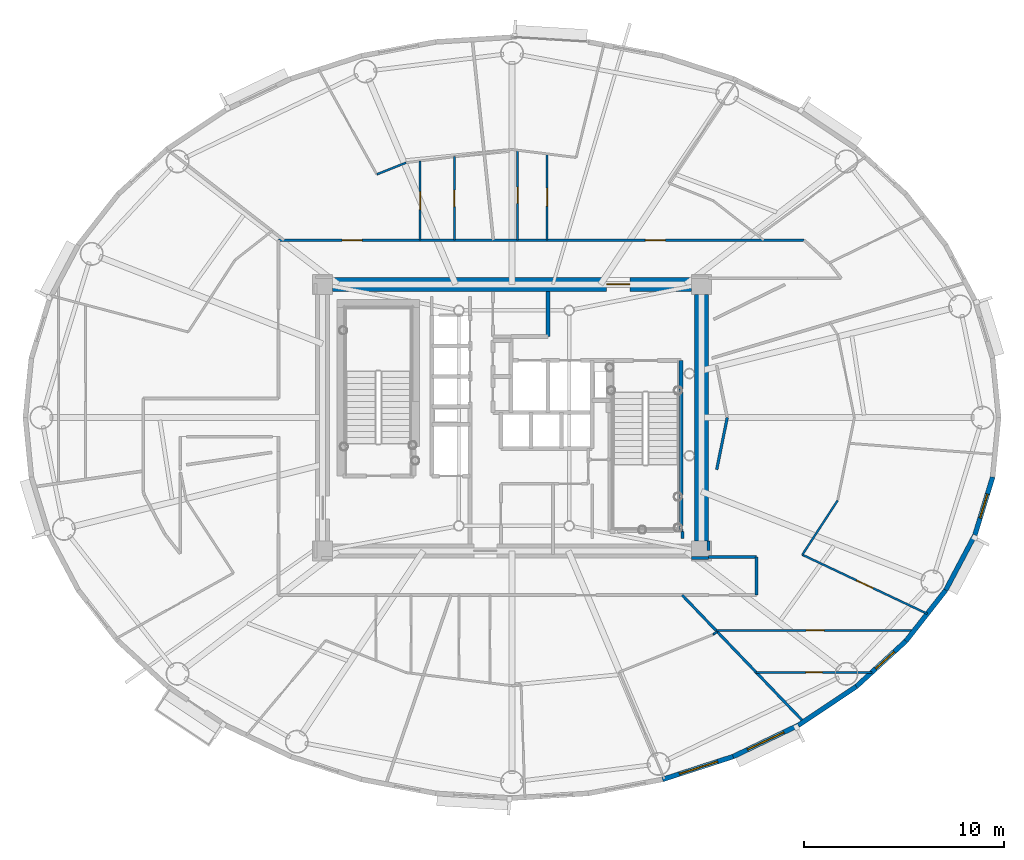
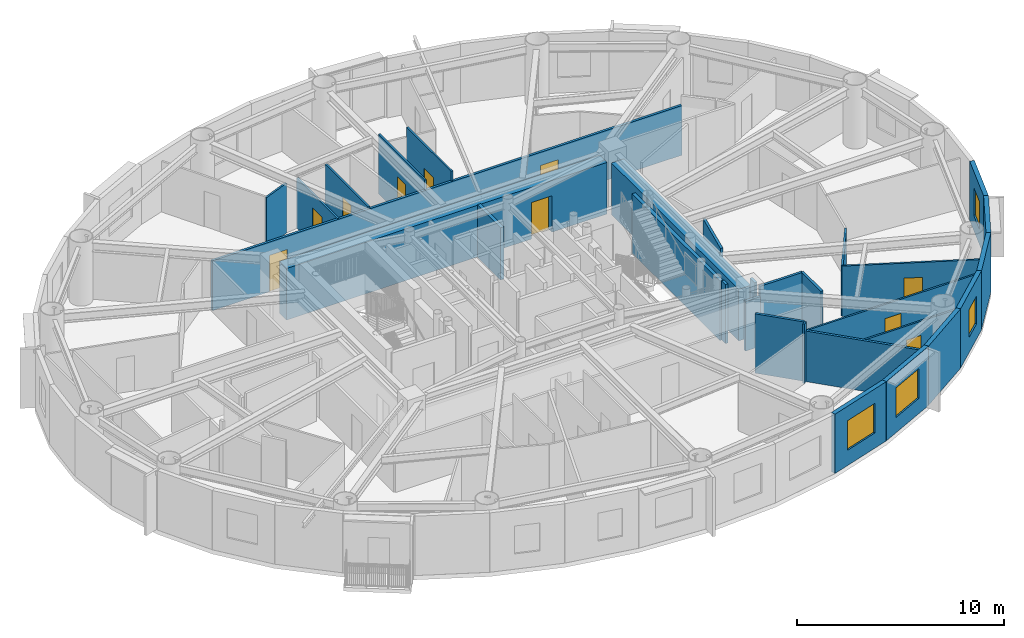
# One storey, part 10 of 19: 30 walls, 10 doors, 4 windows, 14 openings.
"""IFC4 building model written with IfcOpenShell, lengths in metres."""

import ifcopenshell
import ifcopenshell.guid

model = None  # the IFC model being written
_history = None  # IfcOwnerHistory: only IFC2X3 demands one
_inside = {}  # id of a spatial element -> (the spatial element, [elements in it])
_under = {}  # id of a project, library or spatial element -> (it, [spatial elements below it])
_declared = {}  # id of a project -> (the project, [libraries it declares])
_typed = {}  # id of a type object -> (the type object, [elements of that type])
_made_of = {}  # id of a material, layer set ... -> (it, [elements and type objects made of it])


def new_model(schema):
    """Start an empty IFC model of exactly this schema.

    Asked for "IFC4X3", IfcOpenShell would pick the latest addendum, in which some entities
    have other attributes; the version numbers below select the first issue.
    IFC2X3 requires an IfcOwnerHistory on every rooted entity: one is made here for all.
    """
    global model, _history
    if schema == "IFC4X3":
        model = ifcopenshell.file(schema_version=(4, 3, 0, 0))
    else:
        model = ifcopenshell.file(schema=schema)
    _inside.clear()
    _under.clear()
    _declared.clear()
    _typed.clear()
    _made_of.clear()
    _history = None
    if model.schema == "IFC2X3":
        org = make("IfcOrganization", Name="unknown")
        user = make(
            "IfcPersonAndOrganization",
            ThePerson=make("IfcPerson", FamilyName="unknown"),
            TheOrganization=org,
        )
        app = make(
            "IfcApplication",
            ApplicationDeveloper=org,
            Version="unknown",
            ApplicationFullName="unknown",
            ApplicationIdentifier="unknown",
        )
        _history = make(
            "IfcOwnerHistory",
            OwningUser=user,
            OwningApplication=app,
            ChangeAction="ADDED",
            CreationDate=0,
        )
    return model


def make(cls, **values):
    """One entity of the class cls with the attributes given. An attribute that is None is left unset."""
    return model.create_entity(
        cls, **{name: value for name, value in values.items() if value is not None}
    )


def rooted(cls, **values):
    """An entity with a GlobalId (a new one), such as an element, a storey or a relation."""
    return make(cls, GlobalId=ifcopenshell.guid.new(), OwnerHistory=_history, **values)


def si_unit(unit_type, name, prefix=None):
    """IfcSIUnit, for example si_unit("LENGTHUNIT", "METRE", prefix="MILLI")."""
    return make("IfcSIUnit", UnitType=unit_type, Prefix=prefix, Name=name)


def assignment(units):
    """IfcUnitAssignment: the units of a project."""
    return None if units is None else make("IfcUnitAssignment", Units=units)


def point(xyz):
    """IfcCartesianPoint."""
    return None if xyz is None else make("IfcCartesianPoint", Coordinates=xyz)


def direction(xyz):
    """IfcDirection."""
    return None if xyz is None else make("IfcDirection", DirectionRatios=xyz)


def frame(location, z_axis=None, x_axis=None):
    """IfcAxis2Placement3D, a coordinate frame: its origin and axes. An axis left out is left unset."""
    return make(
        "IfcAxis2Placement3D",
        Location=point(location),
        Axis=direction(z_axis),
        RefDirection=direction(x_axis),
    )


def frame_2d(location, x_axis=None):
    """IfcAxis2Placement2D, a coordinate frame in the plane: its origin and x axis."""
    return make(
        "IfcAxis2Placement2D", Location=point(location), RefDirection=direction(x_axis)
    )


def origin():
    """The frame at (0, 0, 0) with its axes left unset."""
    return frame((0.0, 0.0, 0.0))


def origin_2d():
    """The frame at (0, 0) in the plane with its x axis left unset."""
    return frame_2d((0.0, 0.0))


def place(relative_to, where):
    """IfcLocalPlacement: puts the frame where relative to a parent placement (None: the world)."""
    return make(
        "IfcLocalPlacement", PlacementRelTo=relative_to, RelativePlacement=where
    )


def context(
    kind, dimensions, precision=None, world=None, true_north=None, identifier=None
):
    """IfcGeometricRepresentationContext, for example the 3D "Model" context."""
    return make(
        "IfcGeometricRepresentationContext",
        ContextIdentifier=identifier,
        ContextType=kind,
        CoordinateSpaceDimension=dimensions,
        Precision=precision,
        WorldCoordinateSystem=world,
        TrueNorth=true_north,
    )


def subcontext(parent, identifier, kind, view, scale=None):
    """IfcGeometricRepresentationSubContext, for example "Body" below "Model"."""
    return make(
        "IfcGeometricRepresentationSubContext",
        ContextIdentifier=identifier,
        ContextType=kind,
        ParentContext=parent,
        TargetScale=scale,
        TargetView=view,
    )


def project(units=None, contexts=None):
    """IfcProject with its units and contexts."""
    return rooted(
        "IfcProject",
        Name="project",
        RepresentationContexts=contexts,
        UnitsInContext=assignment(units),
    )


def spatial(cls, under=None, at=None, **own):
    """A site, building, storey or space (cls), placed at a placement, below another one or the project."""
    s = rooted(cls, ObjectPlacement=at, **own)
    if under is not None:
        _under.setdefault(under.id(), (under, []))[1].append(s)
    return s


def profile(cls, at=None, kind="AREA", **sizes):
    """A parametric profile (cls). Its sizes go by their IFC names, for example OverallWidth=200.0."""
    return make(cls, ProfileType=kind, Position=at, **sizes)


def rectangle(**sizes):
    """IfcRectangleProfileDef."""
    return profile("IfcRectangleProfileDef", **sizes)


def extrude(swept, where, along, depth):
    """IfcExtrudedAreaSolid: the profile swept, set in the frame where, extruded along a direction by depth."""
    return make(
        "IfcExtrudedAreaSolid",
        SweptArea=swept,
        Position=where,
        ExtrudedDirection=direction(along),
        Depth=depth,
    )


def shape(context_of_items, identifier, shape_type, items):
    """IfcShapeRepresentation: the items that make up one representation, for example the "Body"."""
    return make(
        "IfcShapeRepresentation",
        ContextOfItems=context_of_items,
        RepresentationIdentifier=identifier,
        RepresentationType=shape_type,
        Items=items,
    )


def source(mapping_origin, context_of_items, identifier, shape_type, items):
    """IfcRepresentationMap: a shape defined once, which mapped items show again and again."""
    return make(
        "IfcRepresentationMap",
        MappingOrigin=mapping_origin,
        MappedRepresentation=shape(context_of_items, identifier, shape_type, items),
    )


def transform(
    local_origin,
    x_axis=None,
    y_axis=None,
    z_axis=None,
    scale=None,
    scale2=None,
    scale3=None,
    uniform=True,
):
    """IfcCartesianTransformationOperator3D, or its non-uniform kind. x_axis, y_axis, z_axis: its Axis1, 2, 3."""
    if uniform:
        return make(
            "IfcCartesianTransformationOperator3D",
            Axis1=direction(x_axis),
            Axis2=direction(y_axis),
            LocalOrigin=point(local_origin),
            Scale=scale,
            Axis3=direction(z_axis),
        )
    return make(
        "IfcCartesianTransformationOperator3DnonUniform",
        Axis1=direction(x_axis),
        Axis2=direction(y_axis),
        LocalOrigin=point(local_origin),
        Scale=scale,
        Axis3=direction(z_axis),
        Scale2=scale2,
        Scale3=scale3,
    )


def mapped(mapping_source, mapping_target):
    """IfcMappedItem: shows the shape of a source again, moved by a transform."""
    return make(
        "IfcMappedItem", MappingSource=mapping_source, MappingTarget=mapping_target
    )


def material(Name=None, Category=None):
    """IfcMaterial."""
    return make("IfcMaterial", Name=Name, Category=Category)


def layer(
    of_material, thickness, ventilated=None, Name=None, Category=None, Priority=None
):
    """IfcMaterialLayer: one layer of a wall or slab, of a material (None: an air gap)."""
    return make(
        "IfcMaterialLayer",
        Material=of_material,
        LayerThickness=thickness,
        IsVentilated=ventilated,
        Name=Name,
        Category=Category,
        Priority=Priority,
    )


def layer_set(layers, Name=None):
    """IfcMaterialLayerSet."""
    return make("IfcMaterialLayerSet", MaterialLayers=layers, LayerSetName=Name)


def made_of(thing, what):
    """Note that an element or type object is made of a material, layer set ...; save() writes the relation."""
    if what is not None:
        _made_of.setdefault(what.id(), (what, []))[1].append(thing)
    return thing


def type_object(cls, material=None, **own):
    """A type object (cls), such as IfcWallType, which elements share."""
    return made_of(rooted(cls, **own), material)


def element(
    cls,
    number,
    at=None,
    inside=None,
    cuts=None,
    type_object=None,
    material=None,
    context=None,
    identifier="Body",
    shape_type=None,
    held_by="IfcProductDefinitionShape",
    body=None,
    shapes=None,
    **own,
):
    """One element of the class cls, such as IfcWall. Its Tag is "e" and its number.

    at: its placement. inside: the storey or other place that contains it. cuts: it is an
    opening in that element (IfcRelVoidsElement). A single representation is given by context,
    identifier, shape_type and body (its items); several are given by shapes. held_by: the class
    of the entity that holds the representations. save() writes the other relations.
    """
    e = rooted(cls, Tag="e%d" % number, ObjectPlacement=at, **own)
    if body is not None:
        shapes = [shape(context, identifier, shape_type, body)]
    if shapes is not None:
        e.Representation = make(held_by, Representations=shapes)
    if inside is not None:
        _inside.setdefault(inside.id(), (inside, []))[1].append(e)
    if cuts is not None:
        rooted(
            "IfcRelVoidsElement", RelatingBuildingElement=cuts, RelatedOpeningElement=e
        )
    if type_object is not None:
        _typed.setdefault(type_object.id(), (type_object, []))[1].append(e)
    return made_of(e, material)


def fill(opening, filler):
    """IfcRelFillsElement: the door or window that sits in an opening."""
    return rooted(
        "IfcRelFillsElement",
        RelatingOpeningElement=opening,
        RelatedBuildingElement=filler,
    )


def aggregate(whole, parts):
    """IfcRelAggregates: a whole, such as a stair, and the parts it consists of."""
    return rooted("IfcRelAggregates", RelatingObject=whole, RelatedObjects=parts)


def save(model, path):
    """Write the relations noted so far, then the file.

    IfcRelAggregates (storeys below a building ...), IfcRelContainedInSpatialStructure (elements
    in a storey), IfcRelDefinesByType, IfcRelAssociatesMaterial and IfcRelDeclares: one each for
    every whole, place, type object, material and project.
    """
    for whole, parts in _under.values():
        aggregate(whole, parts)
    for where, things in _inside.values():
        rooted(
            "IfcRelContainedInSpatialStructure",
            RelatedElements=things,
            RelatingStructure=where,
        )
    for kind, things in _typed.values():
        rooted("IfcRelDefinesByType", RelatedObjects=things, RelatingType=kind)
    for what, things in _made_of.values():
        rooted("IfcRelAssociatesMaterial", RelatedObjects=things, RelatingMaterial=what)
    for by, libraries in _declared.values():
        rooted("IfcRelDeclares", RelatingContext=by, RelatedDefinitions=libraries)
    model.write(path)


model = new_model("IFC4")

# Units and contexts
model_context = context("Model", 3, precision=1e-05, world=origin(), true_north=direction((0.0, 1.0)))
body_context = subcontext(model_context, "Body", "Model", "MODEL_VIEW")
ifc_project = project(units=[si_unit("LENGTHUNIT", "METRE"), si_unit("AREAUNIT", "SQUARE_METRE"), si_unit("VOLUMEUNIT", "CUBIC_METRE"), si_unit("PLANEANGLEUNIT", "RADIAN"), si_unit("MASSUNIT", "GRAM", prefix="KILO")], contexts=[model_context])

# Site, building, storey
site_placement = place(None, origin())
site = spatial("IfcSite", under=ifc_project, at=site_placement, CompositionType="ELEMENT")
building_placement = place(site_placement, origin())
building = spatial("IfcBuilding", under=site, at=building_placement, Name="Linh Dai School and Residence Tower", CompositionType="ELEMENT")
storey_placement = place(building_placement, frame((0.0, 0.0, 236.550048828125)))
storey = spatial("IfcBuildingStorey", under=building, at=storey_placement, Name="L58", CompositionType="ELEMENT", Elevation=236.550048828125)

# Wall, opening, window
ifc_material_1 = material(Name="Precast Concrete B45 (C35/45)", Category="concrete")
ifc_layer_1 = layer(ifc_material_1, 0.239990234375)
ifc_layer_set_1 = layer_set([ifc_layer_1], Name="Precast Concrete B45 (C35/45)")
wall_type_1 = type_object("IfcWallType", Name="EW-TC-240", PredefinedType="SOLIDWALL", material=ifc_layer_set_1)
wall_1_placement = place(storey_placement, frame((47.031005859375, 10.093505859375, 0.0), z_axis=(0.0, 0.0, 1.0), x_axis=(-0.951210789182, -0.308541787354, 0.0)))
wall_1 = element("IfcWall", 1, at=wall_1_placement, inside=storey, type_object=wall_type_1, Name="L58 Terracotta Exterior Wall 33", PredefinedType="SOLIDWALL", context=body_context, shape_type="SweptSolid", body=[
    extrude(rectangle(XDim=3.702392578125, YDim=0.239990234375, at=frame_2d((1.85107421875, 0.0))), origin(), (0.0, 0.0, 1.0), 3.5),
])
opening_1_placement = place(wall_1_placement, frame((0.81298828125, 0.0, 0.89990234375)))
opening_1 = element("IfcOpeningElement", 2, at=opening_1_placement, cuts=wall_1, Name="Opening W1", PredefinedType="OPENING", context=body_context, shape_type="SweptSolid", body=[
    extrude(rectangle(XDim=2.0, YDim=1.75, at=origin_2d()), frame((1.0, 0.1298828125, 0.875), z_axis=(0.0, -1.0, 0.0), x_axis=(1.0, 0.0, 0.0)), (0.0, 0.0, 1.0), 0.260009765625),
])
ifc_material_2 = material(Name="Double Low-E Insulated Glazing", Category="glass")
window_type_1 = type_object("IfcWindowType", Name="WN-RES-2000x1750", PartitioningType="DOUBLE_PANEL_VERTICAL", PredefinedType="WINDOW", material=ifc_material_2)
shared_shape_1 = source(origin(), body_context, "Body", "SweptSolid", [
    extrude(rectangle(XDim=2.0, YDim=1.75, at=origin_2d()), frame((1.0, 0.030029296875, 0.875), z_axis=(0.0, -1.0, 0.0), x_axis=(1.0, 0.0, 0.0)), (0.0, 0.0, 1.0), 0.06005859375),
])
window_1_placement = place(opening_1_placement, origin())
window_1 = element("IfcWindow", 3, at=window_1_placement, inside=storey, type_object=window_type_1, Name="L58 Exterior Window 33.1", OverallHeight=1.75, OverallWidth=2.0, PartitioningType="DOUBLE_PANEL_VERTICAL", PredefinedType="WINDOW", context=body_context, shape_type="MappedRepresentation", body=[
    mapped(shared_shape_1, transform((0.0, 0.0, 0.0), x_axis=(1.0, 0.0, 0.0), y_axis=(0.0, 1.0, 0.0), z_axis=(0.0, 0.0, 1.0), scale=1.0)),
])
fill(opening_1, window_1)

wall_2_placement = place(storey_placement, frame((50.280029296875, 11.65234375, 0.0), z_axis=(0.0, 0.0, 1.0), x_axis=(-0.901598104751, -0.432574684313, 0.0)))
wall_2 = element("IfcWall", 4, at=wall_2_placement, inside=storey, type_object=wall_type_1, Name="L58 Terracotta Exterior Wall 34", PredefinedType="SOLIDWALL", context=body_context, shape_type="SweptSolid", body=[
    extrude(rectangle(XDim=3.603515625, YDim=0.239990234375, at=frame_2d((1.8017578125, 0.0))), origin(), (0.0, 0.0, 1.0), 3.5),
])
opening_2_placement = place(wall_2_placement, frame((0.802001953125, 0.0, 0.89990234375)))
opening_2 = element("IfcOpeningElement", 5, at=opening_2_placement, cuts=wall_2, Name="Opening W1", PredefinedType="OPENING", context=body_context, shape_type="SweptSolid", body=[
    extrude(rectangle(XDim=2.0, YDim=1.75, at=origin_2d()), frame((1.0, 0.1298828125, 0.875), z_axis=(0.0, -1.0, 0.0), x_axis=(1.0, 0.0, 0.0)), (0.0, 0.0, 1.0), 0.260009765625),
])
window_2_placement = place(opening_2_placement, origin())
window_2 = element("IfcWindow", 6, at=window_2_placement, inside=storey, type_object=window_type_1, Name="L58 Exterior Window 34.1", OverallHeight=1.75, OverallWidth=2.0, PartitioningType="DOUBLE_PANEL_VERTICAL", PredefinedType="WINDOW", context=body_context, shape_type="MappedRepresentation", body=[
    mapped(shared_shape_1, transform((0.0, 0.0, 0.0), x_axis=(1.0, 0.0, 0.0), y_axis=(0.0, 1.0, 0.0), z_axis=(0.0, 0.0, 1.0), scale=1.0)),
])
fill(opening_2, window_2)

# Wall
wall_3_placement = place(storey_placement, frame((53.17626953125, 13.589111328125, 0.0), z_axis=(0.0, 0.0, 1.0), x_axis=(-0.831262496074, -0.555880079352, 0.0)))
element("IfcWall", 7, at=wall_3_placement, inside=storey, type_object=wall_type_1, Name="L58 Terracotta Exterior Wall 35", PredefinedType="SOLIDWALL", context=body_context, shape_type="SweptSolid", body=[
    extrude(rectangle(XDim=3.484130859375, YDim=0.239990234375, at=frame_2d((1.7421875, 0.0))), origin(), (0.0, 0.0, 1.0), 3.5),
])

# Wall, opening, window
wall_4_placement = place(storey_placement, frame((55.6484375, 15.85546875, 0.0), z_axis=(0.0, 0.0, 1.0), x_axis=(-0.737123922599, -0.675757591694, 0.0)))
wall_4 = element("IfcWall", 8, at=wall_4_placement, inside=storey, type_object=wall_type_1, Name="L58 Terracotta Exterior Wall 36", PredefinedType="SOLIDWALL", context=body_context, shape_type="SweptSolid", body=[
    extrude(rectangle(XDim=3.353759765625, YDim=0.239990234375, at=frame_2d((1.6767578125, 0.0))), origin(), (0.0, 0.0, 1.0), 3.5),
])
opening_3_placement = place(wall_4_placement, frame((0.791259765625, 0.0, 0.89990234375)))
opening_3 = element("IfcOpeningElement", 9, at=opening_3_placement, cuts=wall_4, Name="Opening W3", PredefinedType="OPENING", context=body_context, shape_type="SweptSolid", body=[
    extrude(rectangle(XDim=1.25, YDim=1.64990234375, at=origin_2d()), frame((0.625, 0.1298828125, 0.824951171875), z_axis=(0.0, -1.0, 0.0), x_axis=(1.0, 0.0, 0.0)), (0.0, 0.0, 1.0), 0.260009765625),
])
window_type_2 = type_object("IfcWindowType", Name="WN-RES-1250x1650", PartitioningType="SINGLE_PANEL", PredefinedType="WINDOW", material=ifc_material_2)
shared_shape_2 = source(origin(), body_context, "Body", "SweptSolid", [
    extrude(rectangle(XDim=1.25, YDim=1.64990234375, at=origin_2d()), frame((0.625, 0.030029296875, 0.824951171875), z_axis=(0.0, -1.0, 0.0), x_axis=(1.0, 0.0, 0.0)), (0.0, 0.0, 1.0), 0.06005859375),
])
window_3_placement = place(opening_3_placement, origin())
window_3 = element("IfcWindow", 10, at=window_3_placement, inside=storey, type_object=window_type_2, Name="L58 Exterior Window 36.1", OverallHeight=1.64990234375, OverallWidth=1.25, PartitioningType="SINGLE_PANEL", PredefinedType="WINDOW", context=body_context, shape_type="MappedRepresentation", body=[
    mapped(shared_shape_2, transform((0.0, 0.0, 0.0), x_axis=(1.0, 0.0, 0.0), y_axis=(0.0, 1.0, 0.0), z_axis=(0.0, 0.0, 1.0), scale=1.0)),
])
fill(opening_3, window_3)

# Walls
wall_5_placement = place(storey_placement, frame((57.6357421875, 18.394775390625, 0.0), z_axis=(0.0, 0.0, 1.0), x_axis=(-0.616312344705, -0.787501805562, 0.0)))
element("IfcWall", 11, at=wall_5_placement, inside=storey, type_object=wall_type_1, Name="L58 Terracotta Exterior Wall 37", PredefinedType="SOLIDWALL", context=body_context, shape_type="SweptSolid", body=[
    extrude(rectangle(XDim=3.224609375, YDim=0.239990234375, at=frame_2d((1.6123046875, 0.0))), origin(), (0.0, 0.0, 1.0), 3.5),
])
wall_6_placement = place(storey_placement, frame((59.09033203125, 21.14404296875, 0.0), z_axis=(0.0, 0.0, 1.0), x_axis=(-0.46766049993, -0.883908172157, 0.0)))
element("IfcWall", 12, at=wall_6_placement, inside=storey, type_object=wall_type_1, Name="L58 Terracotta Exterior Wall 38", PredefinedType="SOLIDWALL", context=body_context, shape_type="SweptSolid", body=[
    extrude(rectangle(XDim=3.1103515625, YDim=0.239990234375, at=frame_2d((1.55517578125, 0.0))), origin(), (0.0, 0.0, 1.0), 3.5),
])

# Wall, opening, window
wall_7_placement = place(storey_placement, frame((59.97705078125, 24.0361328125, 0.0), z_axis=(0.0, 0.0, 1.0), x_axis=(-0.293132907334, -0.95607170162, 0.0)))
wall_7 = element("IfcWall", 13, at=wall_7_placement, inside=storey, type_object=wall_type_1, Name="L58 Terracotta Exterior Wall 39", PredefinedType="SOLIDWALL", context=body_context, shape_type="SweptSolid", body=[
    extrude(rectangle(XDim=3.02490234375, YDim=0.239990234375, at=frame_2d((1.512451171875, 0.0))), origin(), (0.0, 0.0, 1.0), 3.5),
])
opening_4_placement = place(wall_7_placement, frame((0.887451171875, 0.0, 0.89990234375)))
opening_4 = element("IfcOpeningElement", 14, at=opening_4_placement, cuts=wall_7, Name="Opening W3", PredefinedType="OPENING", context=body_context, shape_type="SweptSolid", body=[
    extrude(rectangle(XDim=1.25, YDim=1.64990234375, at=origin_2d()), frame((0.625, 0.1298828125, 0.824951171875), z_axis=(0.0, -1.0, 0.0), x_axis=(1.0, 0.0, 0.0)), (0.0, 0.0, 1.0), 0.260009765625),
])
window_4_placement = place(opening_4_placement, origin())
window_4 = element("IfcWindow", 15, at=window_4_placement, inside=storey, type_object=window_type_2, Name="L58 Exterior Window 39.1", OverallHeight=1.64990234375, OverallWidth=1.25, PartitioningType="SINGLE_PANEL", PredefinedType="WINDOW", context=body_context, shape_type="MappedRepresentation", body=[
    mapped(shared_shape_2, transform((0.0, 0.0, 0.0), x_axis=(1.0, 0.0, 0.0), y_axis=(0.0, 1.0, 0.0), z_axis=(0.0, 0.0, 1.0), scale=1.0)),
])
fill(opening_4, window_4)

# Wall, openings, doors
ifc_material_3 = material(Name="Autoclaved Aerated Concrete Blockwork", Category="masonry")
ifc_layer_2 = layer(ifc_material_3, 0.135009765625)
ifc_layer_set_2 = layer_set([ifc_layer_2], Name="Autoclaved Aerated Concrete Blockwork")
wall_type_2 = type_object("IfcWallType", Name="IW-CORR-135-EI90", PredefinedType="PARTITIONING", material=ifc_layer_set_2)
wall_8_placement = place(storey_placement, frame((24.35009765625, 35.85009765625, 0.0), z_axis=(0.0, 0.0, 1.0), x_axis=(1.0, 0.0, 0.0)))
wall_8 = element("IfcWall", 16, at=wall_8_placement, inside=storey, type_object=wall_type_2, Name="L58 Interior Partition Wall 023", PredefinedType="PARTITIONING", context=body_context, shape_type="SweptSolid", body=[
    extrude(rectangle(XDim=26.2177734375, YDim=0.135009765625, at=frame_2d((13.10888671875, 0.0))), origin(), (0.0, 0.0, 1.0), 2.93505859375),
])
opening_5_placement = place(wall_8_placement, frame((3.171630859375, 0.0, 0.0)))
opening_5 = element("IfcOpeningElement", 17, at=opening_5_placement, cuts=wall_8, Name="Opening D03", PredefinedType="OPENING", context=body_context, shape_type="SweptSolid", body=[
    extrude(rectangle(XDim=1.0, YDim=2.14990234375, at=origin_2d()), frame((0.5, 0.07763671875, 1.074951171875), z_axis=(0.0, -1.0, 0.0), x_axis=(1.0, 0.0, 0.0)), (0.0, 0.0, 1.0), 0.155029296875),
])
opening_6_placement = place(wall_8_placement, frame((18.30615234375, 0.0, 0.0)))
opening_6 = element("IfcOpeningElement", 18, at=opening_6_placement, cuts=wall_8, Name="Opening D03", PredefinedType="OPENING", context=body_context, shape_type="SweptSolid", body=[
    extrude(rectangle(XDim=1.0, YDim=2.14990234375, at=origin_2d()), frame((0.5, 0.07763671875, 1.074951171875), z_axis=(0.0, -1.0, 0.0), x_axis=(1.0, 0.0, 0.0)), (0.0, 0.0, 1.0), 0.155029296875),
])
ifc_material_4 = material(Name="Fire-Rated Solid Timber Entrance Door", Category="wood")
door_type_1 = type_object("IfcDoorType", Name="DR-FLAT-1000x2150-FD60S", OperationType="NOTDEFINED", PredefinedType="DOOR", material=ifc_material_4)
shared_shape_3 = source(origin(), body_context, "Body", "SweptSolid", [
    extrude(rectangle(XDim=1.0, YDim=2.14990234375, at=origin_2d()), frame((0.5, 0.02490234375, 1.074951171875), z_axis=(0.0, -1.0, 0.0), x_axis=(1.0, 0.0, 0.0)), (0.0, 0.0, 1.0), 0.050048828125),
])
door_1_placement = place(opening_5_placement, origin())
door_1 = element("IfcDoor", 19, at=door_1_placement, inside=storey, type_object=door_type_1, Name="L58 U5801 Apartment Entrance Door", OperationType="SINGLE_SWING_RIGHT", OverallHeight=2.14990234375, OverallWidth=1.0, PredefinedType="DOOR", context=body_context, shape_type="MappedRepresentation", body=[
    mapped(shared_shape_3, transform((0.0, 0.0, 0.0), x_axis=(1.0, 0.0, 0.0), y_axis=(0.0, 1.0, 0.0), z_axis=(0.0, 0.0, 1.0), scale=1.0)),
])
fill(opening_5, door_1)
door_2_placement = place(opening_6_placement, origin())
door_2 = element("IfcDoor", 20, at=door_2_placement, inside=storey, type_object=door_type_1, Name="L58 U5806 Apartment Entrance Door", OperationType="SINGLE_SWING_LEFT", OverallHeight=2.14990234375, OverallWidth=1.0, PredefinedType="DOOR", context=body_context, shape_type="MappedRepresentation", body=[
    mapped(shared_shape_3, transform((0.0, 0.0, 0.0), x_axis=(1.0, 0.0, 0.0), y_axis=(0.0, 1.0, 0.0), z_axis=(0.0, 0.0, 1.0), scale=1.0)),
])
fill(opening_6, door_2)

# Walls
wall_9_placement = place(storey_placement, frame((44.48486328125, 18.14990234375, 0.0), z_axis=(0.0, 0.0, 1.0), x_axis=(0.692102956666, -0.72179879286, 0.0)))
element("IfcWall", 21, at=wall_9_placement, inside=storey, type_object=wall_type_2, Name="L58 Interior Partition Wall 081", PredefinedType="PARTITIONING", context=body_context, shape_type="SweptSolid", body=[
    extrude(rectangle(XDim=2.441650390625, YDim=0.135009765625, at=frame_2d((1.220703125, 0.0))), origin(), (0.0, 0.0, 1.0), 3.5),
])
wall_10_placement = place(storey_placement, frame((45.800048828125, 20.050048828125, 0.0), z_axis=(0.0, 0.0, 1.0), x_axis=(1.0, 0.0, 0.0)))
element("IfcWall", 22, at=wall_10_placement, inside=storey, type_object=wall_type_2, Name="L58 Interior Partition Wall 082", PredefinedType="PARTITIONING", context=body_context, shape_type="SweptSolid", body=[
    extrude(rectangle(XDim=2.39990234375, YDim=0.135009765625, at=frame_2d((1.199951171875, 0.0))), origin(), (0.0, 0.0, 1.0), 3.5),
])
wall_11_placement = place(storey_placement, frame((46.22998046875, 16.329833984375, 0.0), z_axis=(0.0, 0.0, 1.0), x_axis=(0.69206255942, -0.721837525935, 0.0)))
element("IfcWall", 23, at=wall_11_placement, inside=storey, type_object=wall_type_2, Name="L58 Interior Partition Wall 087", PredefinedType="PARTITIONING", context=body_context, shape_type="SweptSolid", body=[
    extrude(rectangle(XDim=6.23974609375, YDim=0.135009765625, at=frame_2d((3.119873046875, 0.0))), origin(), (0.0, 0.0, 1.0), 2.98486328125),
])
wall_12_placement = place(storey_placement, frame((48.199951171875, 18.14990234375, 0.0), z_axis=(0.0, 0.0, 1.0), x_axis=(0.0, 1.0, 0.0)))
element("IfcWall", 24, at=wall_12_placement, inside=storey, type_object=wall_type_2, Name="L58 Interior Partition Wall 089", PredefinedType="PARTITIONING", context=body_context, shape_type="SweptSolid", body=[
    extrude(rectangle(XDim=1.900146484375, YDim=0.135009765625, at=frame_2d((0.9501953125, 0.0))), origin(), (0.0, 0.0, 1.0), 3.5),
])
wall_13_placement = place(storey_placement, frame((44.5, 20.9599609375, 0.0), z_axis=(0.0, 0.0, 1.0), x_axis=(0.0, 1.0, 0.0)))
element("IfcWall", 25, at=wall_13_placement, inside=storey, type_object=wall_type_2, Name="L58 Interior Partition Wall 105", PredefinedType="PARTITIONING", context=body_context, shape_type="SweptSolid", body=[
    extrude(rectangle(XDim=0.360107421875, YDim=0.135009765625, at=frame_2d((0.18017578125, 0.0))), origin(), (0.0, 0.0, 1.0), 3.5),
])
wall_14_placement = place(storey_placement, frame((44.9599609375, 20.0, 0.0), z_axis=(0.0, 0.0, 1.0), x_axis=(1.0, 0.0, 0.0)))
element("IfcWall", 26, at=wall_14_placement, inside=storey, type_object=wall_type_2, Name="L58 Interior Partition Wall 114", PredefinedType="PARTITIONING", context=body_context, shape_type="SweptSolid", body=[
    extrude(rectangle(XDim=0.830078125, YDim=0.135009765625, at=frame_2d((0.4150390625, 0.0))), origin(), (0.0, 0.0, 1.0), 2.93505859375),
])
wall_15_placement = place(storey_placement, frame((45.800048828125, 20.37744140625, 0.0), z_axis=(0.0, 0.0, 1.0), x_axis=(0.0, 1.0, 0.0)))
element("IfcWall", 27, at=wall_15_placement, inside=storey, type_object=wall_type_2, Name="L58 Interior Partition Wall 118", PredefinedType="PARTITIONING", context=body_context, shape_type="SweptSolid", body=[
    extrude(rectangle(XDim=0.462646484375, YDim=0.135009765625, at=frame_2d((0.2314453125, 0.0))), origin(), (0.0, 0.0, 1.0), 3.5),
])
wall_16_placement = place(storey_placement, frame((46.21044921875, 24.40234375, 0.0), z_axis=(0.0, 0.0, 1.0), x_axis=(0.198330009585, 0.980135300506, 0.0)))
element("IfcWall", 28, at=wall_16_placement, inside=storey, type_object=wall_type_2, Name="L58 Interior Partition Wall 119", PredefinedType="PARTITIONING", context=body_context, shape_type="SweptSolid", body=[
    extrude(rectangle(XDim=2.650390625, YDim=0.135009765625, at=frame_2d((1.3251953125, 0.0))), origin(), (0.0, 0.0, 1.0), 2.93505859375),
])
ifc_material_5 = material(Name="Concrete B45 (C35/45)", Category="concrete")
ifc_layer_3 = layer(ifc_material_5, 0.199951171875)
ifc_layer_set_3 = layer_set([ifc_layer_3], Name="Concrete B45 (C35/45)")
wall_type_3 = type_object("IfcWallType", Name="IW-SHAFT-200-EI120", PredefinedType="PARTITIONING", material=ifc_layer_set_3)
wall_17_placement = place(storey_placement, frame((37.800048828125, 31.050048828125, 0.0), z_axis=(0.0, 0.0, 1.0), x_axis=(0.0, 1.0, 0.0)))
element("IfcWall", 29, at=wall_17_placement, inside=storey, type_object=wall_type_3, Name="L58 Interior Partition Wall 066", PredefinedType="PARTITIONING", context=body_context, shape_type="SweptSolid", body=[
    extrude(rectangle(XDim=2.25, YDim=0.199951171875, at=frame_2d((1.125, 0.0))), origin(), (0.0, 0.0, 1.0), 3.0849609375),
])
wall_18_placement = place(storey_placement, frame((44.43994140625, 21.330078125, 0.0), z_axis=(0.0, 0.0, 1.0), x_axis=(0.0, 1.0, 0.0)))
element("IfcWall", 30, at=wall_18_placement, inside=storey, type_object=wall_type_3, Name="L58 Interior Partition Wall 080", PredefinedType="PARTITIONING", context=body_context, shape_type="SweptSolid", body=[
    extrude(rectangle(XDim=8.52001953125, YDim=0.199951171875, at=frame_2d((4.260009765625, 0.0))), origin(), (0.0, 0.0, 1.0), 3.5),
])
ifc_material_6 = material(Name="Gypsum Plasterboard Acoustic Stud Partition", Category="masonry")
ifc_layer_4 = layer(ifc_material_6, 0.10009765625)
ifc_layer_set_4 = layer_set([ifc_layer_4], Name="Gypsum Plasterboard Acoustic Stud Partition")
wall_type_4 = type_object("IfcWallType", Name="IW-UNIT-100", PredefinedType="PARTITIONING", material=ifc_layer_set_4)
wall_19_placement = place(storey_placement, frame((29.257080078125, 39.134521484375, 0.0), z_axis=(0.0, 0.0, 1.0), x_axis=(0.928796620339, 0.370589851515, 0.0)))
element("IfcWall", 31, at=wall_19_placement, inside=storey, type_object=wall_type_4, Name="L58 Interior Partition Wall 028", PredefinedType="PARTITIONING", context=body_context, shape_type="SweptSolid", body=[
    extrude(rectangle(XDim=1.5771484375, YDim=0.10009765625, at=frame_2d((0.78857421875, 0.0))), origin(), (0.0, 0.0, 1.0), 2.93505859375),
])

# Wall, opening, door
wall_20_placement = place(storey_placement, frame((31.42041015625, 35.85009765625, 0.0), z_axis=(0.0, 0.0, 1.0), x_axis=(0.0, 1.0, 0.0)))
wall_20 = element("IfcWall", 32, at=wall_20_placement, inside=storey, type_object=wall_type_4, Name="L58 Interior Partition Wall 034", PredefinedType="PARTITIONING", context=body_context, shape_type="SweptSolid", body=[
    extrude(rectangle(XDim=3.95556640625, YDim=0.10009765625, at=frame_2d((1.977783203125, 0.0))), origin(), (0.0, 0.0, 1.0), 2.93505859375),
])
opening_7_placement = place(wall_20_placement, frame((1.52783203125, 0.0, 0.0)))
opening_7 = element("IfcOpeningElement", 33, at=opening_7_placement, cuts=wall_20, Name="Opening D05", PredefinedType="OPENING", context=body_context, shape_type="SweptSolid", body=[
    extrude(rectangle(XDim=0.89990234375, YDim=2.10009765625, at=origin_2d()), frame((0.449951171875, 0.06005859375, 1.050048828125), z_axis=(0.0, -1.0, 0.0), x_axis=(1.0, 0.0, 0.0)), (0.0, 0.0, 1.0), 0.1201171875),
])
ifc_material_7 = material(Name="Engineered Timber Internal Door", Category="wood")
door_type_2 = type_object("IfcDoorType", Name="DR-INT-900x2100", OperationType="NOTDEFINED", PredefinedType="DOOR", material=ifc_material_7)
shared_shape_4 = source(origin(), body_context, "Body", "SweptSolid", [
    extrude(rectangle(XDim=0.89990234375, YDim=2.10009765625, at=origin_2d()), frame((0.449951171875, 0.02490234375, 1.050048828125), z_axis=(0.0, -1.0, 0.0), x_axis=(1.0, 0.0, 0.0)), (0.0, 0.0, 1.0), 0.050048828125),
])
door_3_placement = place(opening_7_placement, origin())
door_3 = element("IfcDoor", 34, at=door_3_placement, inside=storey, type_object=door_type_2, Name="L58 Apartment U5801 Kitchen Door", OperationType="SINGLE_SWING_RIGHT", OverallHeight=2.10009765625, OverallWidth=0.89990234375, PredefinedType="DOOR", context=body_context, shape_type="MappedRepresentation", body=[
    mapped(shared_shape_4, transform((0.0, 0.0, 0.0), x_axis=(1.0, 0.0, 0.0), y_axis=(0.0, 1.0, 0.0), z_axis=(0.0, 0.0, 1.0), scale=1.0)),
])
fill(opening_7, door_3)

wall_21_placement = place(storey_placement, frame((33.128662109375, 35.85009765625, 0.0), z_axis=(0.0, 0.0, 1.0), x_axis=(0.0, 1.0, 0.0)))
wall_21 = element("IfcWall", 35, at=wall_21_placement, inside=storey, type_object=wall_type_4, Name="L58 Interior Partition Wall 041", PredefinedType="PARTITIONING", context=body_context, shape_type="SweptSolid", body=[
    extrude(rectangle(XDim=4.167236328125, YDim=0.10009765625, at=frame_2d((2.08349609375, 0.0))), origin(), (0.0, 0.0, 1.0), 3.034912109375),
])
opening_8_placement = place(wall_21_placement, frame((1.673583984375, 0.0, 0.0)))
opening_8 = element("IfcOpeningElement", 36, at=opening_8_placement, cuts=wall_21, Name="Opening D06", PredefinedType="OPENING", context=body_context, shape_type="SweptSolid", body=[
    extrude(rectangle(XDim=0.820068359375, YDim=2.10009765625, at=origin_2d()), frame((0.41015625, 0.06005859375, 1.050048828125), z_axis=(0.0, -1.0, 0.0), x_axis=(1.0, 0.0, 0.0)), (0.0, 0.0, 1.0), 0.1201171875),
])
ifc_material_8 = material(Name="Moisture-Resistant Timber Bathroom Door", Category="wood")
door_type_3 = type_object("IfcDoorType", Name="DR-WET-820x2100", OperationType="NOTDEFINED", PredefinedType="DOOR", material=ifc_material_8)
shared_shape_5 = source(origin(), body_context, "Body", "SweptSolid", [
    extrude(rectangle(XDim=0.820068359375, YDim=2.10009765625, at=origin_2d()), frame((0.41015625, 0.02490234375, 1.050048828125), z_axis=(0.0, -1.0, 0.0), x_axis=(1.0, 0.0, 0.0)), (0.0, 0.0, 1.0), 0.050048828125),
])
door_4_placement = place(opening_8_placement, origin())
door_4 = element("IfcDoor", 37, at=door_4_placement, inside=storey, type_object=door_type_3, Name="L58 Apartment U5801 Bathroom 1 Door", OperationType="SINGLE_SWING_LEFT", OverallHeight=2.10009765625, OverallWidth=0.820068359375, PredefinedType="DOOR", context=body_context, shape_type="MappedRepresentation", body=[
    mapped(shared_shape_5, transform((0.0, 0.0, 0.0), x_axis=(1.0, 0.0, 0.0), y_axis=(0.0, 1.0, 0.0), z_axis=(0.0, 0.0, 1.0), scale=1.0)),
])
fill(opening_8, door_4)

wall_22_placement = place(storey_placement, frame((36.28564453125, 35.85009765625, 0.0), z_axis=(0.0, 0.0, 1.0), x_axis=(0.0, 1.0, 0.0)))
wall_22 = element("IfcWall", 38, at=wall_22_placement, inside=storey, type_object=wall_type_4, Name="L58 Interior Partition Wall 061", PredefinedType="PARTITIONING", context=body_context, shape_type="SweptSolid", body=[
    extrude(rectangle(XDim=4.488037109375, YDim=0.10009765625, at=frame_2d((2.244140625, 0.0))), origin(), (0.0, 0.0, 1.0), 3.5),
])
opening_9_placement = place(wall_22_placement, frame((1.833984375, 0.0, 0.0)))
opening_9 = element("IfcOpeningElement", 39, at=opening_9_placement, cuts=wall_22, Name="Opening D06", PredefinedType="OPENING", context=body_context, shape_type="SweptSolid", body=[
    extrude(rectangle(XDim=0.820068359375, YDim=2.10009765625, at=origin_2d()), frame((0.41015625, 0.06005859375, 1.050048828125), z_axis=(0.0, -1.0, 0.0), x_axis=(1.0, 0.0, 0.0)), (0.0, 0.0, 1.0), 0.1201171875),
])
door_5_placement = place(opening_9_placement, origin())
door_5 = element("IfcDoor", 40, at=door_5_placement, inside=storey, type_object=door_type_3, Name="L58 Apartment U5806 Bathroom 1 Door", OperationType="SINGLE_SWING_RIGHT", OverallHeight=2.10009765625, OverallWidth=0.820068359375, PredefinedType="DOOR", context=body_context, shape_type="MappedRepresentation", body=[
    mapped(shared_shape_5, transform((0.0, 0.0, 0.0), x_axis=(1.0, 0.0, 0.0), y_axis=(0.0, 1.0, 0.0), z_axis=(0.0, 0.0, 1.0), scale=1.0)),
])
fill(opening_9, door_5)

wall_23_placement = place(storey_placement, frame((37.7578125, 35.85009765625, 0.0), z_axis=(0.0, 0.0, 1.0), x_axis=(0.0, 1.0, 0.0)))
wall_23 = element("IfcWall", 41, at=wall_23_placement, inside=storey, type_object=wall_type_4, Name="L58 Interior Partition Wall 064", PredefinedType="PARTITIONING", context=body_context, shape_type="SweptSolid", body=[
    extrude(rectangle(XDim=4.305419921875, YDim=0.10009765625, at=frame_2d((2.15283203125, 0.0))), origin(), (0.0, 0.0, 1.0), 3.5),
])
opening_10_placement = place(wall_23_placement, frame((1.702880859375, 0.0, 0.0)))
opening_10 = element("IfcOpeningElement", 42, at=opening_10_placement, cuts=wall_23, Name="Opening D05", PredefinedType="OPENING", context=body_context, shape_type="SweptSolid", body=[
    extrude(rectangle(XDim=0.89990234375, YDim=2.10009765625, at=origin_2d()), frame((0.449951171875, 0.06005859375, 1.050048828125), z_axis=(0.0, -1.0, 0.0), x_axis=(1.0, 0.0, 0.0)), (0.0, 0.0, 1.0), 0.1201171875),
])
door_6_placement = place(opening_10_placement, origin())
door_6 = element("IfcDoor", 43, at=door_6_placement, inside=storey, type_object=door_type_2, Name="L58 Apartment U5806 Kitchen Door", OperationType="SINGLE_SWING_RIGHT", OverallHeight=2.10009765625, OverallWidth=0.89990234375, PredefinedType="DOOR", context=body_context, shape_type="MappedRepresentation", body=[
    mapped(shared_shape_4, transform((0.0, 0.0, 0.0), x_axis=(1.0, 0.0, 0.0), y_axis=(0.0, 1.0, 0.0), z_axis=(0.0, 0.0, 1.0), scale=1.0)),
])
fill(opening_10, door_6)

# Wall
wall_24_placement = place(storey_placement, frame((46.039306640625, 16.1806640625, 0.0), z_axis=(0.0, 0.0, 1.0), x_axis=(0.787611392409, 0.616172292909, 0.0)))
element("IfcWall", 44, at=wall_24_placement, inside=storey, type_object=wall_type_4, Name="L58 Interior Partition Wall 084", PredefinedType="PARTITIONING", context=body_context, shape_type="SweptSolid", body=[
    extrude(rectangle(XDim=0.2421875, YDim=0.10009765625, at=frame_2d((0.12109375, 0.0))), origin(), (0.0, 0.0, 1.0), 3.5),
])

# Wall, opening, door
wall_25_placement = place(storey_placement, frame((46.1748046875, 16.387451171875, 0.0), z_axis=(0.0, 0.0, 1.0), x_axis=(1.0, 0.0, 0.0)))
wall_25 = element("IfcWall", 45, at=wall_25_placement, inside=storey, type_object=wall_type_4, Name="L58 Interior Partition Wall 086", PredefinedType="PARTITIONING", context=body_context, shape_type="SweptSolid", body=[
    extrude(rectangle(XDim=9.896240234375, YDim=0.10009765625, at=frame_2d((4.9482421875, 0.0))), origin(), (0.0, 0.0, 1.0), 2.93505859375),
])
opening_11_placement = place(wall_25_placement, frame((4.498046875, 0.0, 0.0)))
opening_11 = element("IfcOpeningElement", 46, at=opening_11_placement, cuts=wall_25, Name="Opening D05", PredefinedType="OPENING", context=body_context, shape_type="SweptSolid", body=[
    extrude(rectangle(XDim=0.89990234375, YDim=2.10009765625, at=origin_2d()), frame((0.449951171875, 0.06005859375, 1.050048828125), z_axis=(0.0, -1.0, 0.0), x_axis=(1.0, 0.0, 0.0)), (0.0, 0.0, 1.0), 0.1201171875),
])
door_7_placement = place(opening_11_placement, origin())
door_7 = element("IfcDoor", 47, at=door_7_placement, inside=storey, type_object=door_type_2, Name="L58 Apartment U5805 Kitchen Door", OperationType="SINGLE_SWING_LEFT", OverallHeight=2.10009765625, OverallWidth=0.89990234375, PredefinedType="DOOR", context=body_context, shape_type="MappedRepresentation", body=[
    mapped(shared_shape_4, transform((0.0, 0.0, 0.0), x_axis=(1.0, 0.0, 0.0), y_axis=(0.0, 1.0, 0.0), z_axis=(0.0, 0.0, 1.0), scale=1.0)),
])
fill(opening_11, door_7)

wall_26_placement = place(storey_placement, frame((48.179443359375, 14.296630859375, 0.0), z_axis=(0.0, 0.0, 1.0), x_axis=(1.0, 0.0, 0.0)))
wall_26 = element("IfcWall", 48, at=wall_26_placement, inside=storey, type_object=wall_type_4, Name="L58 Interior Partition Wall 088", PredefinedType="PARTITIONING", context=body_context, shape_type="SweptSolid", body=[
    extrude(rectangle(XDim=5.77587890625, YDim=0.10009765625, at=frame_2d((2.887939453125, 0.0))), origin(), (0.0, 0.0, 1.0), 2.93505859375),
])
opening_12_placement = place(wall_26_placement, frame((2.47802734375, 0.0, 0.0)))
opening_12 = element("IfcOpeningElement", 49, at=opening_12_placement, cuts=wall_26, Name="Opening D06", PredefinedType="OPENING", context=body_context, shape_type="SweptSolid", body=[
    extrude(rectangle(XDim=0.820068359375, YDim=2.10009765625, at=origin_2d()), frame((0.41015625, 0.06005859375, 1.050048828125), z_axis=(0.0, -1.0, 0.0), x_axis=(1.0, 0.0, 0.0)), (0.0, 0.0, 1.0), 0.1201171875),
])
door_8_placement = place(opening_12_placement, origin())
door_8 = element("IfcDoor", 50, at=door_8_placement, inside=storey, type_object=door_type_3, Name="L58 Apartment U5805 Bathroom 1 Door", OperationType="SINGLE_SWING_RIGHT", OverallHeight=2.10009765625, OverallWidth=0.820068359375, PredefinedType="DOOR", context=body_context, shape_type="MappedRepresentation", body=[
    mapped(shared_shape_5, transform((0.0, 0.0, 0.0), x_axis=(1.0, 0.0, 0.0), y_axis=(0.0, 1.0, 0.0), z_axis=(0.0, 0.0, 1.0), scale=1.0)),
])
fill(opening_12, door_8)

# Wall
wall_27_placement = place(storey_placement, frame((50.482421875, 20.16015625, 0.0), z_axis=(0.0, 0.0, 1.0), x_axis=(0.545421330779, 0.838162020096, 0.0)))
element("IfcWall", 51, at=wall_27_placement, inside=storey, type_object=wall_type_4, Name="L58 Interior Partition Wall 092", PredefinedType="PARTITIONING", context=body_context, shape_type="SweptSolid", body=[
    extrude(rectangle(XDim=3.22998046875, YDim=0.10009765625, at=frame_2d((1.614990234375, 0.0))), origin(), (0.0, 0.0, 1.0), 2.93505859375),
])

# Wall, opening, door
wall_28_placement = place(storey_placement, frame((50.482421875, 20.16015625, 0.0), z_axis=(0.0, 0.0, 1.0), x_axis=(0.904207257568, -0.42709394208, 0.0)))
wall_28 = element("IfcWall", 52, at=wall_28_placement, inside=storey, type_object=wall_type_4, Name="L58 Interior Partition Wall 093", PredefinedType="PARTITIONING", context=body_context, shape_type="SweptSolid", body=[
    extrude(rectangle(XDim=6.896728515625, YDim=0.10009765625, at=frame_2d((3.4482421875, 0.0))), origin(), (0.0, 0.0, 1.0), 2.98486328125),
])
opening_13_placement = place(wall_28_placement, frame((2.998291015625, 0.0, 0.0)))
opening_13 = element("IfcOpeningElement", 53, at=opening_13_placement, cuts=wall_28, Name="Opening D05", PredefinedType="OPENING", context=body_context, shape_type="SweptSolid", body=[
    extrude(rectangle(XDim=0.89990234375, YDim=2.10009765625, at=origin_2d()), frame((0.449951171875, 0.06005859375, 1.050048828125), z_axis=(0.0, -1.0, 0.0), x_axis=(1.0, 0.0, 0.0)), (0.0, 0.0, 1.0), 0.1201171875),
])
door_9_placement = place(opening_13_placement, origin())
door_9 = element("IfcDoor", 54, at=door_9_placement, inside=storey, type_object=door_type_2, Name="L58 Apartment U5805 Principal Bedroom 1 Door", OperationType="SINGLE_SWING_LEFT", OverallHeight=2.10009765625, OverallWidth=0.89990234375, PredefinedType="DOOR", context=body_context, shape_type="MappedRepresentation", body=[
    mapped(shared_shape_4, transform((0.0, 0.0, 0.0), x_axis=(1.0, 0.0, 0.0), y_axis=(0.0, 1.0, 0.0), z_axis=(0.0, 0.0, 1.0), scale=1.0)),
])
fill(opening_13, door_9)

ifc_layer_5 = layer(ifc_material_5, 0.699951171875)
ifc_layer_set_5 = layer_set([ifc_layer_5], Name="Concrete B45 (C35/45)")
wall_type_5 = type_object("IfcWallType", Name="WL-CORE700", PredefinedType="SHEAR", material=ifc_layer_set_5)
wall_29_placement = place(storey_placement, frame((27.050048828125, 33.64990234375, 0.0), z_axis=(0.0, 0.0, 1.0), x_axis=(1.0, 0.0, 0.0)))
wall_29 = element("IfcWall", 55, at=wall_29_placement, inside=storey, type_object=wall_type_5, Name="L58 Central Core Shear Wall N", PredefinedType="SHEAR", context=body_context, shape_type="SweptSolid", body=[
    extrude(rectangle(XDim=17.89990234375, YDim=0.699951171875, at=frame_2d((8.949951171875, 0.0))), origin(), (0.0, 0.0, 1.0), 3.050048828125),
])
opening_14_placement = place(wall_29_placement, frame((13.675048828125, 0.0, 0.0)))
opening_14 = element("IfcOpeningElement", 56, at=opening_14_placement, cuts=wall_29, Name="Opening D02", PredefinedType="OPENING", context=body_context, shape_type="SweptSolid", body=[
    extrude(rectangle(XDim=1.14990234375, YDim=2.14990234375, at=origin_2d()), frame((0.574951171875, 0.35986328125, 1.074951171875), z_axis=(0.0, -1.0, 0.0), x_axis=(1.0, 0.0, 0.0)), (0.0, 0.0, 1.0), 0.719970703125),
])
ifc_material_9 = material(Name="Fire-Rated Glazed Steel Lobby Door", Category="steel")
door_type_4 = type_object("IfcDoorType", Name="DR-LOBBY-1150x2150-FD90S", OperationType="NOTDEFINED", PredefinedType="DOOR", material=ifc_material_9)
shared_shape_6 = source(origin(), body_context, "Body", "SweptSolid", [
    extrude(rectangle(XDim=1.14990234375, YDim=2.14990234375, at=origin_2d()), frame((0.574951171875, 0.02490234375, 1.074951171875), z_axis=(0.0, -1.0, 0.0), x_axis=(1.0, 0.0, 0.0)), (0.0, 0.0, 1.0), 0.050048828125),
])
door_10_placement = place(opening_14_placement, origin())
door_10 = element("IfcDoor", 57, at=door_10_placement, inside=storey, type_object=door_type_4, Name="L58 Firefighting Lobby Door", OperationType="SINGLE_SWING_RIGHT", OverallHeight=2.14990234375, OverallWidth=1.14990234375, PredefinedType="DOOR", context=body_context, shape_type="MappedRepresentation", body=[
    mapped(shared_shape_6, transform((0.0, 0.0, 0.0), x_axis=(1.0, 0.0, 0.0), y_axis=(0.0, 1.0, 0.0), z_axis=(0.0, 0.0, 1.0), scale=1.0)),
])
fill(opening_14, door_10)

# Wall
wall_30_placement = place(storey_placement, frame((45.449951171875, 33.14990234375, 0.0), z_axis=(0.0, 0.0, 1.0), x_axis=(0.0, -1.0, 0.0)))
element("IfcWall", 58, at=wall_30_placement, inside=storey, type_object=wall_type_5, Name="L58 Central Core Shear Wall E", PredefinedType="SHEAR", context=body_context, shape_type="SweptSolid", body=[
    extrude(rectangle(XDim=12.2998046875, YDim=0.699951171875, at=frame_2d((6.14990234375, 0.0))), origin(), (0.0, 0.0, 1.0), 3.050048828125),
])

save(model, "model.ifc")
